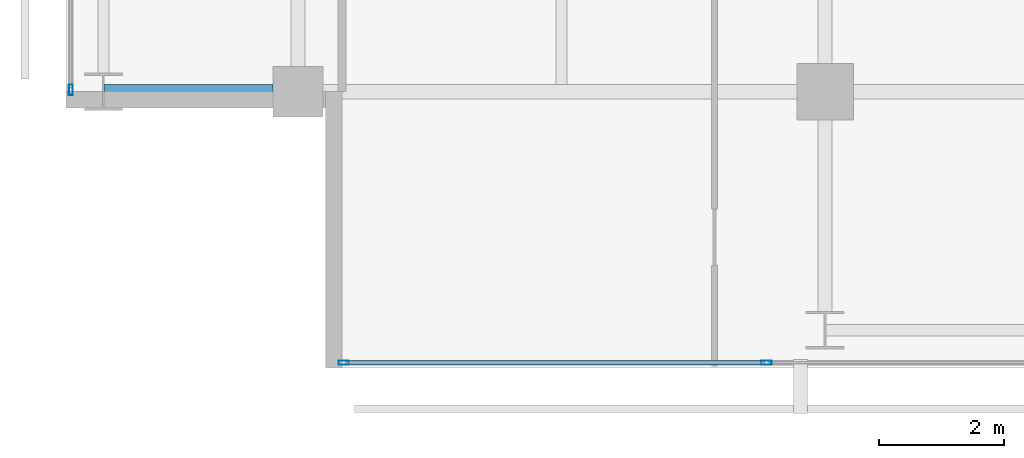
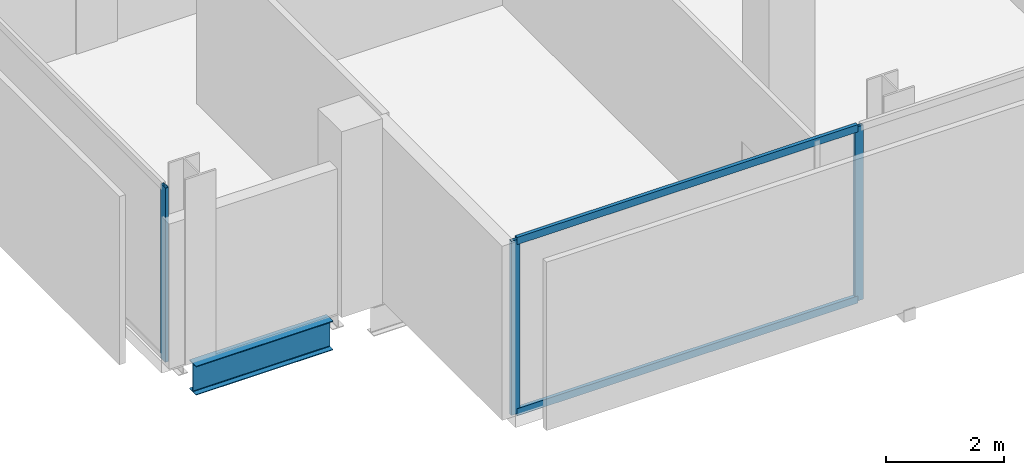
# One storey, part 2 of 33: 5 members, 1 beam, 2 elements without a shape of their own.
"""IFC4 building model written with IfcOpenShell, lengths in metres."""

from ifc_helpers import new_model, si_unit, direction, frame, origin, origin_2d, place, context, subcontext, project, spatial, hollow_rectangle, i_section, extrude, material, layer, layer_set, material_profile, profile_set, type_object, element, aggregate, save


model = new_model("IFC4")

# Units and contexts
model_context = context("Model", 3, precision=1e-05, world=origin(), true_north=direction((0.0, 1.0)))
body_context = subcontext(model_context, "Body", "Model", "MODEL_VIEW")
ifc_project = project(units=[si_unit("LENGTHUNIT", "METRE"), si_unit("AREAUNIT", "SQUARE_METRE"), si_unit("VOLUMEUNIT", "CUBIC_METRE"), si_unit("PLANEANGLEUNIT", "RADIAN"), si_unit("MASSUNIT", "GRAM", prefix="KILO")], contexts=[model_context])

# Site, building, storey
site_placement = place(None, origin())
site = spatial("IfcSite", under=ifc_project, at=site_placement, CompositionType="ELEMENT")
building_placement = place(site_placement, origin())
building = spatial("IfcBuilding", under=site, at=building_placement, Name="Maruvema Waterfront Hotel and Observation Tower", CompositionType="ELEMENT")
storey_placement = place(building_placement, frame((0.0, 0.0, 169.75)))
storey = spatial("IfcBuildingStorey", under=building, at=storey_placement, Name="L41", CompositionType="ELEMENT", Elevation=169.75)

# Curtain wall, members
ifc_material_1 = material(Name="Anodised bronze aluminium and solar-control low-E IGU", Category="aluminium")
ifc_layer = layer(ifc_material_1, 0.159912109375, Name="Zone 2 Amber Inner Thermal Curtain Wall System CW-03")
ifc_layer_set = layer_set([ifc_layer], Name="Anodised bronze aluminium and solar-control low-E IGU")
curtain_wall_type = type_object("IfcCurtainWallType", Name="Zone 2 Amber Inner Thermal Curtain Wall System CW-03", PredefinedType="USERDEFINED", material=ifc_layer_set)
curtain_wall_1_placement = place(storey_placement, origin())
curtain_wall_1 = element("IfcCurtainWall", 1, at=curtain_wall_1_placement, inside=storey, type_object=curtain_wall_type, Name="L41 Curtain Wall CW-L41-S", ObjectType="UNITISED CURTAIN WALL", PredefinedType="USERDEFINED")
ifc_material_2 = material(Name="Anodised architectural bronze aluminium", Category="aluminium")
ifc_material_profile_1 = material_profile(ifc_material_2, hollow_rectangle(XDim=0.070068359375, YDim=0.14990234375, WallThickness=0.00390625, at=origin_2d()), Name="ALU-T70x150")
ifc_profile_set_1 = profile_set([ifc_material_profile_1], Name="Anodised architectural bronze aluminium")
member_type_1 = type_object("IfcMemberType", Name="Curtain Wall Horizontal Transom ALU-T70x150", PredefinedType="USERDEFINED", material=ifc_profile_set_1)
member_1_placement = place(storey_placement, frame((17.56005859375, 4.679931640625, 0.030029296875), z_axis=(1.0, 0.0, 0.0), x_axis=(0.0, 1.0, 0.0)))
member_1 = element("IfcMember", 2, at=member_1_placement, type_object=member_type_1, Name="CW-03 transom 1.1", ObjectType="TRANSOM", PredefinedType="USERDEFINED", context=body_context, shape_type="SweptSolid", body=[
    extrude(hollow_rectangle(XDim=0.070068359375, YDim=0.14990234375, WallThickness=0.00390625, at=origin_2d()), origin(), (0.0, 0.0, 1.0), 6.676513671875),
])
member_2_placement = place(storey_placement, frame((17.56005859375, 4.679931640625, 3.580078125), z_axis=(1.0, 0.0, 0.0), x_axis=(0.0, 1.0, 0.0)))
member_2 = element("IfcMember", 3, at=member_2_placement, type_object=member_type_1, Name="CW-03 transom 1.2", ObjectType="TRANSOM", PredefinedType="USERDEFINED", context=body_context, shape_type="SweptSolid", body=[
    extrude(hollow_rectangle(XDim=0.070068359375, YDim=0.14990234375, WallThickness=0.00390625, at=origin_2d()), origin(), (0.0, 0.0, 1.0), 6.676513671875),
])
ifc_material_3 = material(Name="Anodised architectural bronze aluminium", Category="aluminium")
ifc_material_profile_2 = material_profile(ifc_material_3, hollow_rectangle(XDim=0.06494140625, YDim=0.1650390625, WallThickness=0.00390625, at=origin_2d()), Name="ALU-M65x165")
ifc_profile_set_2 = profile_set([ifc_material_profile_2], Name="Anodised architectural bronze aluminium")
member_type_2 = type_object("IfcMemberType", Name="Curtain Wall Primary Mullion ALU-M65x165", PredefinedType="MULLION", material=ifc_profile_set_2)
member_3_placement = place(storey_placement, frame((17.530029296875, 4.679931640625, 0.0), z_axis=(0.0, 0.0, 1.0), x_axis=(0.0, 1.0, 0.0)))
member_3 = element("IfcMember", 4, at=member_3_placement, type_object=member_type_2, Name="CW-03 mullion 1", PredefinedType="MULLION", context=body_context, shape_type="SweptSolid", body=[
    extrude(hollow_rectangle(XDim=0.06494140625, YDim=0.1650390625, WallThickness=0.00390625, at=origin_2d()), origin(), (0.0, 0.0, 1.0), 3.610107421875),
])
member_4_placement = place(storey_placement, frame((24.2666015625, 4.679931640625, 0.0), z_axis=(0.0, 0.0, 1.0), x_axis=(0.0, 1.0, 0.0)))
member_4 = element("IfcMember", 5, at=member_4_placement, type_object=member_type_2, Name="CW-03 mullion 2", PredefinedType="MULLION", context=body_context, shape_type="SweptSolid", body=[
    extrude(hollow_rectangle(XDim=0.06494140625, YDim=0.1650390625, WallThickness=0.00390625, at=origin_2d()), origin(), (0.0, 0.0, 1.0), 3.610107421875),
])
aggregate(curtain_wall_1, [member_3, member_4, member_1, member_2])

# Curtain wall, member
curtain_wall_2_placement = place(storey_placement, origin())
curtain_wall_2 = element("IfcCurtainWall", 6, at=curtain_wall_2_placement, inside=storey, type_object=curtain_wall_type, Name="L41 Curtain Wall CW-L41-W", ObjectType="UNITISED CURTAIN WALL", PredefinedType="USERDEFINED")
member_5_placement = place(storey_placement, frame((13.179931640625, 9.030029296875, 0.0), z_axis=(0.0, 0.0, 1.0), x_axis=(1.0, 0.0, 0.0)))
member_5 = element("IfcMember", 7, at=member_5_placement, type_object=member_type_2, Name="CW-03 mullion 7", PredefinedType="MULLION", context=body_context, shape_type="SweptSolid", body=[
    extrude(hollow_rectangle(XDim=0.06494140625, YDim=0.1650390625, WallThickness=0.00390625, at=origin_2d()), origin(), (0.0, 0.0, 1.0), 3.610107421875),
])
aggregate(curtain_wall_2, [member_5])

# Beam
ifc_material_4 = material(Name="Steel ASTM A572 Grade 50", Category="steel")
ifc_material_profile_3 = material_profile(ifc_material_4, i_section(OverallWidth=0.22802734375, OverallDepth=0.60302734375, WebThickness=0.010498046875, FlangeThickness=0.014892578125, FilletRadius=0.01806640625, at=origin_2d()), Name="W610x101.0")
ifc_profile_set_3 = profile_set([ifc_material_profile_3], Name="Steel ASTM A572 Grade 50")
beam_type = type_object("IfcBeamType", Name="Primary Floor Girder W610x101.0", PredefinedType="BEAM", material=ifc_profile_set_3)
beam_placement = place(storey_placement, frame((13.71240234375, 9.0, -0.54150390625), z_axis=(1.0, 0.0, 0.0), x_axis=(0.0, 1.0, 0.0)))
element("IfcBeam", 8, at=beam_placement, inside=storey, type_object=beam_type, Name="L41 Floor Girder EW-04", PredefinedType="BEAM", context=body_context, shape_type="SweptSolid", body=[
    extrude(i_section(OverallWidth=0.22802734375, OverallDepth=0.60302734375, WebThickness=0.010498046875, FlangeThickness=0.014892578125, FilletRadius=0.01806640625, at=origin_2d()), origin(), (0.0, 0.0, 1.0), 2.6875),
])

save(model, "model.ifc")
